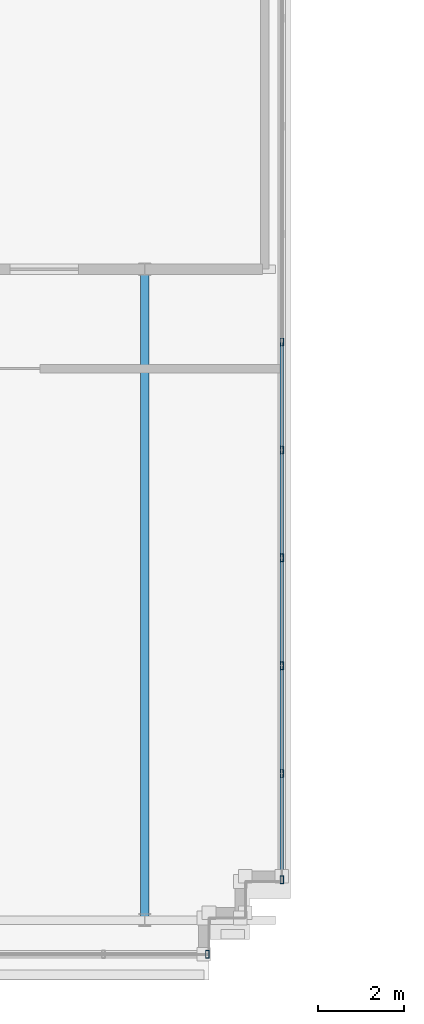
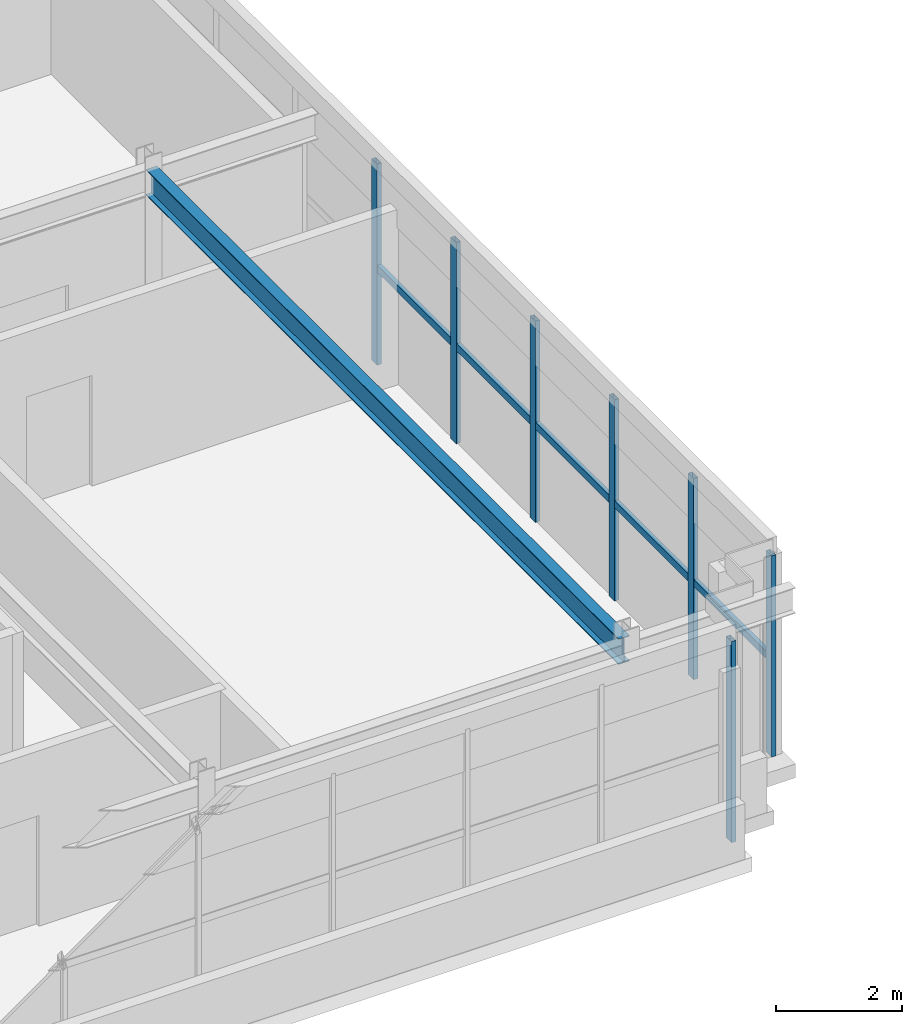
# One storey, part 6 of 25: 12 members, 1 beam, 2 elements without a shape of their own.
"""IFC4 building model written with IfcOpenShell, lengths in metres."""

from ifc_helpers import new_model, si_unit, direction, frame, origin, origin_2d, place, context, subcontext, project, spatial, hollow_rectangle, i_section, extrude, source, transform, mapped, material, material_profile, profile_set, type_object, element, aggregate, save


model = new_model("IFC4")

# Units and contexts
model_context = context("Model", 3, precision=1e-05, world=origin(), true_north=direction((0.0, 1.0)))
body_context = subcontext(model_context, "Body", "Model", "MODEL_VIEW")
ifc_project = project(units=[si_unit("LENGTHUNIT", "METRE"), si_unit("AREAUNIT", "SQUARE_METRE"), si_unit("VOLUMEUNIT", "CUBIC_METRE"), si_unit("PLANEANGLEUNIT", "RADIAN"), si_unit("MASSUNIT", "GRAM", prefix="KILO")], contexts=[model_context])

# Site, building, storey
site_placement = place(None, origin())
site = spatial("IfcSite", under=ifc_project, at=site_placement, CompositionType="ELEMENT")
building_placement = place(site_placement, origin())
building = spatial("IfcBuilding", under=site, at=building_placement, Name="Trelvane Seafront Commons", CompositionType="ELEMENT")
storey_placement = place(building_placement, frame((0.0, 0.0, 316.699951171875)))
storey = spatial("IfcBuildingStorey", under=building, at=storey_placement, Name="L82", CompositionType="ELEMENT", Elevation=316.699951171875)

# Beam
ifc_material_1 = material(Name="Steel SM355 (S355)", Category="steel")
ifc_material_profile_1 = material_profile(ifc_material_1, i_section(OverallWidth=0.199951171875, OverallDepth=0.5, WebThickness=0.010009765625, FlangeThickness=0.01611328125, at=origin_2d()), Name="H-500x200x10x16")
ifc_profile_set_1 = profile_set([ifc_material_profile_1], Name="Steel SM355 (S355)")
beam_type = type_object("IfcBeamType", Name="STR-BM-H500", PredefinedType="BEAM", material=ifc_profile_set_1)
shared_shape_1 = source(origin(), body_context, "Body", "SweptSolid", [
    extrude(i_section(OverallWidth=0.199951171875, OverallDepth=0.5, WebThickness=0.010009765625, FlangeThickness=0.01611328125, at=origin_2d()), origin(), (0.0, 0.0, 1.0), 15.050048828125),
])
beam_placement = place(storey_placement, frame((23.39990234375, 18.27490234375, 3.66015625), z_axis=(0.0, 1.0, 0.0), x_axis=(-1.0, 0.0, 0.0)))
element("IfcBeam", 1, at=beam_placement, inside=storey, type_object=beam_type, Name="L82 Primary Girder G-17", PredefinedType="BEAM", context=body_context, shape_type="MappedRepresentation", body=[
    mapped(shared_shape_1, transform((0.0, 0.0, 0.0), x_axis=(1.0, 0.0, 0.0), y_axis=(0.0, 1.0, 0.0), z_axis=(0.0, 0.0, 1.0), scale=1.0)),
])

# Curtain wall, members
ifc_material_2 = material(Name="Anodised pale-silver aluminium", Category="aluminium")
curtain_wall_type = type_object("IfcCurtainWallType", Name="ARCH-CW6-CROWN", PredefinedType="NOTDEFINED", material=ifc_material_2)
curtain_wall_1_placement = place(storey_placement, origin())
curtain_wall_1 = element("IfcCurtainWall", 2, at=curtain_wall_1_placement, inside=storey, type_object=curtain_wall_type, Name="CW-L82-0154", PredefinedType="NOTDEFINED")
ifc_material_profile_2 = material_profile(ifc_material_2, hollow_rectangle(XDim=0.080078125, YDim=0.179931640625, WallThickness=0.00439453125, at=origin_2d()), Name="MULL-80x180x4.5")
ifc_profile_set_2 = profile_set([ifc_material_profile_2], Name="Anodised pale-silver aluminium")
member_type_1 = type_object("IfcMemberType", Name="ARCH-CW-MULL-180", PredefinedType="MULLION", material=ifc_profile_set_2)
shared_shape_2 = source(origin(), body_context, "Body", "SweptSolid", [
    extrude(hollow_rectangle(XDim=0.080078125, YDim=0.179931640625, WallThickness=0.00439453125, at=origin_2d()), origin(), (0.0, 0.0, 1.0), 3.91015625),
])
member_1_placement = place(storey_placement, frame((26.60009765625, 31.699951171875, 0.0), z_axis=(0.0, 0.0, 1.0), x_axis=(1.0, 0.0, 0.0)))
member_1 = element("IfcMember", 3, at=member_1_placement, type_object=member_type_1, Name="CW-L82-0154-M05", PredefinedType="MULLION", context=body_context, shape_type="MappedRepresentation", body=[
    mapped(shared_shape_2, transform((0.0, 0.0, 0.0), x_axis=(1.0, 0.0, 0.0), y_axis=(0.0, 1.0, 0.0), z_axis=(0.0, 0.0, 1.0), scale=1.0)),
])
member_2_placement = place(storey_placement, frame((26.60009765625, 29.179931640625, 0.0), z_axis=(0.0, 0.0, 1.0), x_axis=(1.0, 0.0, 0.0)))
member_2 = element("IfcMember", 4, at=member_2_placement, type_object=member_type_1, Name="CW-L82-0154-M06", PredefinedType="MULLION", context=body_context, shape_type="MappedRepresentation", body=[
    mapped(shared_shape_2, transform((0.0, 0.0, 0.0), x_axis=(1.0, 0.0, 0.0), y_axis=(0.0, 1.0, 0.0), z_axis=(0.0, 0.0, 1.0), scale=1.0)),
])
member_3_placement = place(storey_placement, frame((26.60009765625, 26.659912109375, 0.0), z_axis=(0.0, 0.0, 1.0), x_axis=(1.0, 0.0, 0.0)))
member_3 = element("IfcMember", 5, at=member_3_placement, type_object=member_type_1, Name="CW-L82-0154-M07", PredefinedType="MULLION", context=body_context, shape_type="MappedRepresentation", body=[
    mapped(shared_shape_2, transform((0.0, 0.0, 0.0), x_axis=(1.0, 0.0, 0.0), y_axis=(0.0, 1.0, 0.0), z_axis=(0.0, 0.0, 1.0), scale=1.0)),
])
member_4_placement = place(storey_placement, frame((26.60009765625, 24.139892578125, 0.0), z_axis=(0.0, 0.0, 1.0), x_axis=(1.0, 0.0, 0.0)))
member_4 = element("IfcMember", 6, at=member_4_placement, type_object=member_type_1, Name="CW-L82-0154-M08", PredefinedType="MULLION", context=body_context, shape_type="MappedRepresentation", body=[
    mapped(shared_shape_2, transform((0.0, 0.0, 0.0), x_axis=(1.0, 0.0, 0.0), y_axis=(0.0, 1.0, 0.0), z_axis=(0.0, 0.0, 1.0), scale=1.0)),
])
member_5_placement = place(storey_placement, frame((26.60009765625, 21.6201171875, 0.0), z_axis=(0.0, 0.0, 1.0), x_axis=(1.0, 0.0, 0.0)))
member_5 = element("IfcMember", 7, at=member_5_placement, type_object=member_type_1, Name="CW-L82-0154-M09", PredefinedType="MULLION", context=body_context, shape_type="MappedRepresentation", body=[
    mapped(shared_shape_2, transform((0.0, 0.0, 0.0), x_axis=(1.0, 0.0, 0.0), y_axis=(0.0, 1.0, 0.0), z_axis=(0.0, 0.0, 1.0), scale=1.0)),
])
member_6_placement = place(storey_placement, frame((26.60009765625, 19.139892578125, 0.0), z_axis=(0.0, 0.0, 1.0), x_axis=(1.0, 0.0, 0.0)))
member_6 = element("IfcMember", 8, at=member_6_placement, type_object=member_type_1, Name="CW-L82-0154-M10", PredefinedType="MULLION", context=body_context, shape_type="MappedRepresentation", body=[
    mapped(shared_shape_2, transform((0.0, 0.0, 0.0), x_axis=(1.0, 0.0, 0.0), y_axis=(0.0, 1.0, 0.0), z_axis=(0.0, 0.0, 1.0), scale=1.0)),
])

# Curtain wall, member
curtain_wall_2_placement = place(storey_placement, origin())
curtain_wall_2 = element("IfcCurtainWall", 9, at=curtain_wall_2_placement, inside=storey, type_object=curtain_wall_type, Name="CW-L82-0155", PredefinedType="NOTDEFINED")
member_7_placement = place(storey_placement, frame((24.860107421875, 17.39990234375, 0.0), z_axis=(0.0, 0.0, 1.0), x_axis=(1.0, 0.0, 0.0)))
member_7 = element("IfcMember", 10, at=member_7_placement, type_object=member_type_1, Name="CW-L82-0155-M00", PredefinedType="MULLION", context=body_context, shape_type="MappedRepresentation", body=[
    mapped(shared_shape_2, transform((0.0, 0.0, 0.0), x_axis=(1.0, 0.0, 0.0), y_axis=(0.0, 1.0, 0.0), z_axis=(0.0, 0.0, 1.0), scale=1.0)),
])
aggregate(curtain_wall_2, [member_7])

# Member
ifc_material_profile_3 = material_profile(ifc_material_2, hollow_rectangle(XDim=0.074951171875, YDim=0.139892578125, WallThickness=0.00390625, at=origin_2d()), Name="TRAN-75x140x4")
ifc_profile_set_3 = profile_set([ifc_material_profile_3], Name="Anodised pale-silver aluminium")
member_type_2 = type_object("IfcMemberType", Name="ARCH-CW-TRAN-140", PredefinedType="USERDEFINED", material=ifc_profile_set_3)
shared_shape_3 = source(origin(), body_context, "Body", "SweptSolid", [
    extrude(hollow_rectangle(XDim=0.074951171875, YDim=0.139892578125, WallThickness=0.00390625, at=origin_2d()), origin(), (0.0, 0.0, 1.0), 2.495849609375),
])
member_8_placement = place(storey_placement, frame((26.60009765625, 29.16796875, 1.876953125), z_axis=(0.0, -1.0, 0.0), x_axis=(1.0, 0.0, 0.0)))
member_8 = element("IfcMember", 11, at=member_8_placement, type_object=member_type_2, Name="CW-L82-0154-T06", ObjectType="TRANSOM", PredefinedType="USERDEFINED", context=body_context, shape_type="MappedRepresentation", body=[
    mapped(shared_shape_3, transform((0.0, 0.0, 0.0), x_axis=(1.0, 0.0, 0.0), y_axis=(0.0, 1.0, 0.0), z_axis=(0.0, 0.0, 1.0), scale=1.0)),
])

member_9_placement = place(storey_placement, frame((26.60009765625, 26.64794921875, 1.876953125), z_axis=(0.0, -1.0, 0.0), x_axis=(1.0, 0.0, 0.0)))
member_9 = element("IfcMember", 12, at=member_9_placement, type_object=member_type_2, Name="CW-L82-0154-T07", ObjectType="TRANSOM", PredefinedType="USERDEFINED", context=body_context, shape_type="MappedRepresentation", body=[
    mapped(shared_shape_3, transform((0.0, 0.0, 0.0), x_axis=(1.0, 0.0, 0.0), y_axis=(0.0, 1.0, 0.0), z_axis=(0.0, 0.0, 1.0), scale=1.0)),
])

member_10_placement = place(storey_placement, frame((26.60009765625, 24.1279296875, 1.876953125), z_axis=(0.0, -1.0, 0.0), x_axis=(1.0, 0.0, 0.0)))
member_10 = element("IfcMember", 13, at=member_10_placement, type_object=member_type_2, Name="CW-L82-0154-T08", ObjectType="TRANSOM", PredefinedType="USERDEFINED", context=body_context, shape_type="MappedRepresentation", body=[
    mapped(shared_shape_3, transform((0.0, 0.0, 0.0), x_axis=(1.0, 0.0, 0.0), y_axis=(0.0, 1.0, 0.0), z_axis=(0.0, 0.0, 1.0), scale=1.0)),
])

member_11_placement = place(storey_placement, frame((26.60009765625, 21.60791015625, 1.876953125), z_axis=(0.0, -1.0, 0.0), x_axis=(1.0, 0.0, 0.0)))
member_11 = element("IfcMember", 14, at=member_11_placement, type_object=member_type_2, Name="CW-L82-0154-T09", ObjectType="TRANSOM", PredefinedType="USERDEFINED", context=body_context, shape_type="MappedRepresentation", body=[
    mapped(shared_shape_3, transform((0.0, 0.0, 0.0), x_axis=(1.0, 0.0, 0.0), y_axis=(0.0, 1.0, 0.0), z_axis=(0.0, 0.0, 1.0), scale=1.0)),
])

shared_shape_4 = source(origin(), body_context, "Body", "SweptSolid", [
    extrude(hollow_rectangle(XDim=0.074951171875, YDim=0.139892578125, WallThickness=0.00390625, at=origin_2d()), origin(), (0.0, 0.0, 1.0), 2.49609375),
])
member_12_placement = place(storey_placement, frame((26.60009765625, 31.68798828125, 1.876953125), z_axis=(0.0, -1.0, 0.0), x_axis=(1.0, 0.0, 0.0)))
member_12 = element("IfcMember", 15, at=member_12_placement, type_object=member_type_2, Name="CW-L82-0154-T05", ObjectType="TRANSOM", PredefinedType="USERDEFINED", context=body_context, shape_type="MappedRepresentation", body=[
    mapped(shared_shape_4, transform((0.0, 0.0, 0.0), x_axis=(1.0, 0.0, 0.0), y_axis=(0.0, 1.0, 0.0), z_axis=(0.0, 0.0, 1.0), scale=1.0)),
])

aggregate(curtain_wall_1, [member_1, member_2, member_3, member_4, member_5, member_6, member_12, member_8, member_9, member_10, member_11])

save(model, "model.ifc")
